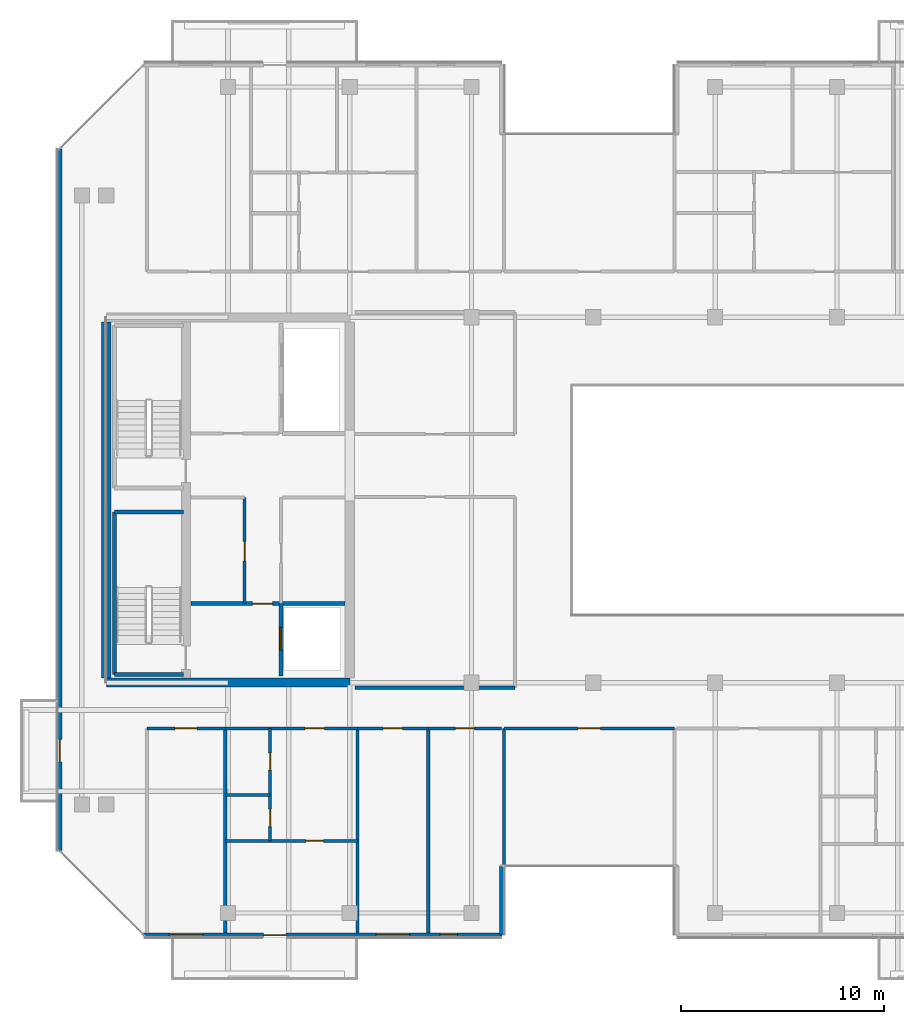
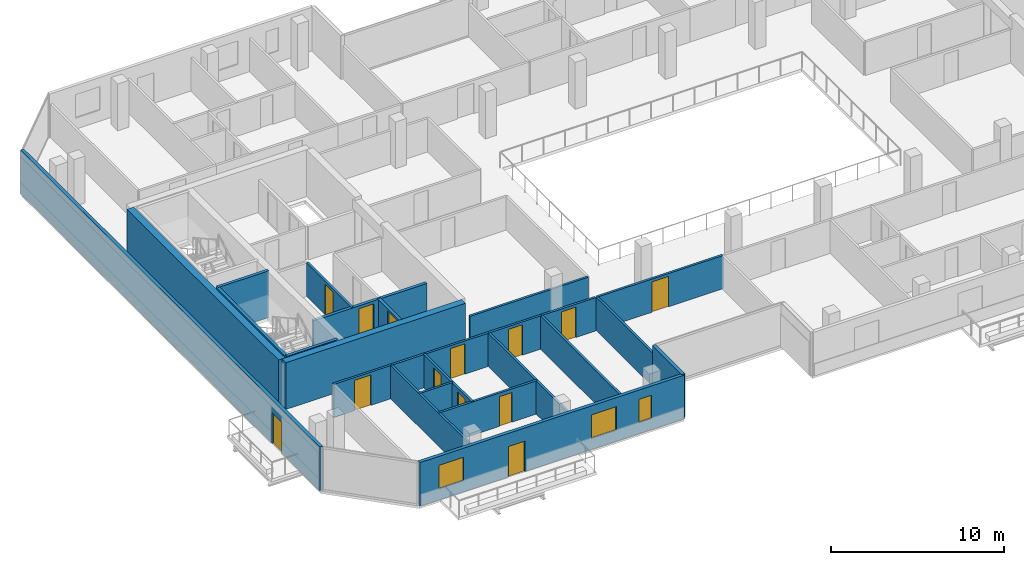
# One storey, part 18 of 28: 24 walls, 13 doors, 3 windows, 16 openings.
"""IFC4 building model written with IfcOpenShell, lengths in metres."""

from ifc_helpers import new_model, si_unit, direction, frame, frame_2d, origin, place, context, subcontext, project, spatial, rectangle, extrude, material, layer, layer_set, type_object, element, fill, save


model = new_model("IFC4")

# Units and contexts
model_context = context("Model", 3, precision=1e-05, world=origin(), true_north=direction((0.0, 1.0)))
body_context = subcontext(model_context, "Body", "Model", "MODEL_VIEW")
ifc_project = project(units=[si_unit("LENGTHUNIT", "METRE"), si_unit("AREAUNIT", "SQUARE_METRE"), si_unit("VOLUMEUNIT", "CUBIC_METRE"), si_unit("PLANEANGLEUNIT", "RADIAN"), si_unit("MASSUNIT", "GRAM", prefix="KILO")], contexts=[model_context])

# Site, building, storey
site_placement = place(None, origin())
site = spatial("IfcSite", under=ifc_project, at=site_placement, CompositionType="ELEMENT")
building_placement = place(site_placement, origin())
building = spatial("IfcBuilding", under=site, at=building_placement, Name="Tanjung Sevakor Pilgrim Tower", CompositionType="ELEMENT")
storey_placement = place(building_placement, frame((0.0, 0.0, 222.75)))
storey = spatial("IfcBuildingStorey", under=building, at=storey_placement, Name="L62", CompositionType="ELEMENT", Elevation=222.75)

# Walls
ifc_material_1 = material(Name="Concrete C60/75", Category="concrete")
ifc_layer_1 = layer(ifc_material_1, 0.449951171875)
ifc_layer_set_1 = layer_set([ifc_layer_1], Name="WALL-CW-450")
wall_type_1 = type_object("IfcWallType", Name="WALL-CW-450", PredefinedType="SHEAR", material=ifc_layer_set_1)
wall_1_placement = place(storey_placement, frame((24.0, 24.60009765625, 0.0), z_axis=(0.0, 0.0, 1.0), x_axis=(1.0, 0.0, 0.0)))
element("IfcWall", 1, at=wall_1_placement, inside=storey, type_object=wall_type_1, Name="L62 W Core South Shear Wall", PredefinedType="SHEAR", context=body_context, shape_type="SweptSolid", body=[
    extrude(rectangle(XDim=12.0, YDim=0.449951171875, at=frame_2d((6.0, 0.0))), origin(), (0.0, 0.0, 1.0), 3.300048828125),
])
wall_2_placement = place(storey_placement, frame((24.0, 24.824951171875, 0.0), z_axis=(0.0, 0.0, 1.0), x_axis=(0.0, 1.0, 0.0)))
element("IfcWall", 2, at=wall_2_placement, inside=storey, type_object=wall_type_1, Name="L62 W Core Outer Shear Wall", PredefinedType="SHEAR", context=body_context, shape_type="SweptSolid", body=[
    extrude(rectangle(XDim=17.550048828125, YDim=0.449951171875, at=frame_2d((8.77490234375, 0.0))), origin(), (0.0, 0.0, 1.0), 3.300048828125),
])

# Wall, opening, door
ifc_material_2 = material(Name="Concrete C40/50", Category="concrete")
ifc_layer_2 = layer(ifc_material_2, 0.14990234375)
ifc_layer_set_2 = layer_set([ifc_layer_2], Name="WT-COMP-150")
wall_type_2 = type_object("IfcWallType", Name="WT-COMP-150", PredefinedType="SOLIDWALL", material=ifc_layer_set_2)
wall_3_placement = place(storey_placement, frame((30.820068359375, 28.5, 0.0), z_axis=(0.0, 0.0, 1.0), x_axis=(0.0, 1.0, 0.0)))
wall_3 = element("IfcWall", 3, at=wall_3_placement, inside=storey, type_object=wall_type_2, Name="L62 Partition IW-L62-004", PredefinedType="SOLIDWALL", context=body_context, shape_type="SweptSolid", body=[
    extrude(rectangle(XDim=5.219970703125, YDim=0.14990234375, at=frame_2d((2.60986328125, 0.0))), origin(), (0.0, 0.0, 1.0), 2.35009765625),
])
opening_1_placement = place(wall_3_placement, frame((2.10009765625, 0.0, 0.0)))
opening_1 = element("IfcOpeningElement", 4, at=opening_1_placement, cuts=wall_3, Name="Opening ID-FD2", PredefinedType="OPENING", context=body_context, shape_type="SweptSolid", body=[
    extrude(rectangle(XDim=0.949951171875, YDim=2.14990234375, at=frame_2d((0.47509765625, 1.074951171875))), frame((0.0, 0.0849609375, 0.0), z_axis=(0.0, -1.0, 0.0), x_axis=(1.0, 0.0, 0.0)), (0.0, 0.0, 1.0), 0.169921875),
])
ifc_material_3 = material(Name="Fire-Rated Timber", Category="wood")
door_type_1 = type_object("IfcDoorType", Name="DT-FIRE-950", OperationType="NOTDEFINED", PredefinedType="DOOR", material=ifc_material_3)
door_1_placement = place(opening_1_placement, origin())
door_1 = element("IfcDoor", 5, at=door_1_placement, inside=storey, type_object=door_type_1, Name="L62 Housekeeping Pantry Door", OperationType="SINGLE_SWING_RIGHT", OverallHeight=2.14990234375, OverallWidth=0.949951171875, PredefinedType="DOOR", context=body_context, shape_type="SweptSolid", body=[
    extrude(rectangle(XDim=0.949951171875, YDim=2.14990234375, at=frame_2d((0.47509765625, 1.074951171875))), frame((0.0, 0.02490234375, 0.0), z_axis=(0.0, -1.0, 0.0), x_axis=(1.0, 0.0, 0.0)), (0.0, 0.0, 1.0), 0.050048828125),
])
fill(opening_1, door_1)

# Wall
wall_4_placement = place(storey_placement, frame((36.2451171875, 24.35009765625, 0.0), z_axis=(0.0, 0.0, 1.0), x_axis=(1.0, 0.0, 0.0)))
element("IfcWall", 6, at=wall_4_placement, inside=storey, type_object=wall_type_2, Name="L62 Partition IW-L62-019", PredefinedType="SOLIDWALL", context=body_context, shape_type="SweptSolid", body=[
    extrude(rectangle(XDim=7.90478515625, YDim=0.14990234375, at=frame_2d((3.952392578125, 0.0))), origin(), (0.0, 0.0, 1.0), 2.35009765625),
])

# Wall, opening, door
wall_5_placement = place(storey_placement, frame((43.60009765625, 22.35009765625, 0.0), z_axis=(0.0, 0.0, 1.0), x_axis=(1.0, 0.0, 0.0)))
wall_5 = element("IfcWall", 7, at=wall_5_placement, inside=storey, type_object=wall_type_2, Name="L62 Partition IW-L62-031", PredefinedType="SOLIDWALL", context=body_context, shape_type="SweptSolid", body=[
    extrude(rectangle(XDim=8.39990234375, YDim=0.14990234375, at=frame_2d((4.199951171875, 0.0))), origin(), (0.0, 0.0, 1.0), 2.35009765625),
])
opening_2_placement = place(wall_5_placement, frame((3.64990234375, 0.0, 0.0)))
opening_2 = element("IfcOpeningElement", 8, at=opening_2_placement, cuts=wall_5, Name="Opening ID-RM2", PredefinedType="OPENING", context=body_context, shape_type="SweptSolid", body=[
    extrude(rectangle(XDim=1.10009765625, YDim=2.14990234375, at=frame_2d((0.550048828125, 1.074951171875))), frame((0.0, 0.0849609375, 0.0), z_axis=(0.0, -1.0, 0.0), x_axis=(1.0, 0.0, 0.0)), (0.0, 0.0, 1.0), 0.169921875),
])
ifc_material_4 = material(Name="Hardwood Timber", Category="wood")
door_type_2 = type_object("IfcDoorType", Name="DT-INT-1100", OperationType="NOTDEFINED", PredefinedType="DOOR", material=ifc_material_4)
door_2_placement = place(opening_2_placement, origin())
door_2 = element("IfcDoor", 9, at=door_2_placement, inside=storey, type_object=door_type_2, Name="L62 South Cleft Observatory Door", OperationType="SINGLE_SWING_RIGHT", OverallHeight=2.14990234375, OverallWidth=1.10009765625, PredefinedType="DOOR", context=body_context, shape_type="SweptSolid", body=[
    extrude(rectangle(XDim=1.10009765625, YDim=2.14990234375, at=frame_2d((0.550048828125, 1.074951171875))), frame((0.0, 0.02490234375, 0.0), z_axis=(0.0, -1.0, 0.0), x_axis=(1.0, 0.0, 0.0)), (0.0, 0.0, 1.0), 0.050048828125),
])
fill(opening_2, door_2)

# Walls
for number, where, z_axis, x_axis, name in (
    (10, (43.60009765625, 12.27001953125, 0.0), (0.0, 0.0, 1.0), (0.0, 1.0, 0.0), "L62 Partition IW-L62-032"),
    (11, (29.86376953125, 12.27001953125, 0.0), (0.0, 0.0, 1.0), (0.0, 1.0, 0.0), "L62 Partition IW-L62-038"),
):
    element("IfcWall", number, at=place(storey_placement, frame(where, z_axis=z_axis, x_axis=x_axis)), inside=storey, type_object=wall_type_2, Name=name, PredefinedType="SOLIDWALL", context=body_context, shape_type="SweptSolid", body=[
        extrude(rectangle(XDim=10.080078125, YDim=0.14990234375, at=frame_2d((5.0400390625, 0.0))), origin(), (0.0, 0.0, 1.0), 2.35009765625),
    ])

# Wall, opening, door
wall_6_placement = place(storey_placement, frame((26.0, 22.35009765625, 0.0), z_axis=(0.0, 0.0, 1.0), x_axis=(1.0, 0.0, 0.0)))
wall_6 = element("IfcWall", 12, at=wall_6_placement, inside=storey, type_object=wall_type_2, Name="L62 Partition IW-L62-039", PredefinedType="SOLIDWALL", context=body_context, shape_type="SweptSolid", body=[
    extrude(rectangle(XDim=3.86376953125, YDim=0.14990234375, at=frame_2d((1.931884765625, 0.0))), origin(), (0.0, 0.0, 1.0), 2.35009765625),
])
opening_3_placement = place(wall_6_placement, frame((1.3818359375, 0.0, 0.0)))
opening_3 = element("IfcOpeningElement", 13, at=opening_3_placement, cuts=wall_6, Name="Opening ID-FD0", PredefinedType="OPENING", context=body_context, shape_type="SweptSolid", body=[
    extrude(rectangle(XDim=1.10009765625, YDim=2.14990234375, at=frame_2d((0.550048828125, 1.074951171875))), frame((0.0, 0.0849609375, 0.0), z_axis=(0.0, -1.0, 0.0), x_axis=(1.0, 0.0, 0.0)), (0.0, 0.0, 1.0), 0.169921875),
])
ifc_material_5 = material(Name="Fire-Rated Steel S355J2", Category="steel")
door_type_3 = type_object("IfcDoorType", Name="DT-FIRE-1100", OperationType="NOTDEFINED", PredefinedType="DOOR", material=ifc_material_5)
door_3_placement = place(opening_3_placement, origin())
door_3 = element("IfcDoor", 14, at=door_3_placement, inside=storey, type_object=door_type_3, Name="Communal Lounge Door", OperationType="SINGLE_SWING_RIGHT", OverallHeight=2.14990234375, OverallWidth=1.10009765625, PredefinedType="DOOR", context=body_context, shape_type="SweptSolid", body=[
    extrude(rectangle(XDim=1.10009765625, YDim=2.14990234375, at=frame_2d((0.550048828125, 1.074951171875))), frame((0.0, 0.02490234375, 0.0), z_axis=(0.0, -1.0, 0.0), x_axis=(1.0, 0.0, 0.0)), (0.0, 0.0, 1.0), 0.050048828125),
])
fill(opening_3, door_3)

# Wall
wall_7_placement = place(storey_placement, frame((36.3759765625, 12.27001953125, 0.0), z_axis=(0.0, 0.0, 1.0), x_axis=(0.0, 1.0, 0.0)))
element("IfcWall", 15, at=wall_7_placement, inside=storey, type_object=wall_type_2, Name="L62 Partition IW-L62-040", PredefinedType="SOLIDWALL", context=body_context, shape_type="SweptSolid", body=[
    extrude(rectangle(XDim=10.080078125, YDim=0.14990234375, at=frame_2d((5.0400390625, 0.0))), origin(), (0.0, 0.0, 1.0), 2.35009765625),
])

# Wall, opening, door
wall_8_placement = place(storey_placement, frame((29.86376953125, 22.35009765625, 0.0), z_axis=(0.0, 0.0, 1.0), x_axis=(1.0, 0.0, 0.0)))
wall_8 = element("IfcWall", 16, at=wall_8_placement, inside=storey, type_object=wall_type_2, Name="L62 Partition IW-L62-044", PredefinedType="SOLIDWALL", context=body_context, shape_type="SweptSolid", body=[
    extrude(rectangle(XDim=6.51220703125, YDim=0.14990234375, at=frame_2d((3.256103515625, 0.0))), origin(), (0.0, 0.0, 1.0), 2.35009765625),
])
opening_4_placement = place(wall_8_placement, frame((3.92822265625, 0.0, 0.0)))
opening_4 = element("IfcOpeningElement", 17, at=opening_4_placement, cuts=wall_8, Name="Opening ID-FD2", PredefinedType="OPENING", context=body_context, shape_type="SweptSolid", body=[
    extrude(rectangle(XDim=0.949951171875, YDim=2.14990234375, at=frame_2d((0.47509765625, 1.074951171875))), frame((0.0, 0.0849609375, 0.0), z_axis=(0.0, -1.0, 0.0), x_axis=(1.0, 0.0, 0.0)), (0.0, 0.0, 1.0), 0.169921875),
])
door_4_placement = place(opening_4_placement, origin())
door_4 = element("IfcDoor", 18, at=door_4_placement, inside=storey, type_object=door_type_1, Name="Residence Entrance", OperationType="SINGLE_SWING_RIGHT", OverallHeight=2.14990234375, OverallWidth=0.949951171875, PredefinedType="DOOR", context=body_context, shape_type="SweptSolid", body=[
    extrude(rectangle(XDim=0.949951171875, YDim=2.14990234375, at=frame_2d((0.47509765625, 1.074951171875))), frame((0.0, 0.02490234375, 0.0), z_axis=(0.0, -1.0, 0.0), x_axis=(1.0, 0.0, 0.0)), (0.0, 0.0, 1.0), 0.050048828125),
])
fill(opening_4, door_4)

# Wall
wall_9_placement = place(storey_placement, frame((39.86572265625, 12.27001953125, 0.0), z_axis=(0.0, 0.0, 1.0), x_axis=(0.0, 1.0, 0.0)))
element("IfcWall", 19, at=wall_9_placement, inside=storey, type_object=wall_type_2, Name="L62 Partition IW-L62-045", PredefinedType="SOLIDWALL", context=body_context, shape_type="SweptSolid", body=[
    extrude(rectangle(XDim=10.080078125, YDim=0.14990234375, at=frame_2d((5.0400390625, 0.0))), origin(), (0.0, 0.0, 1.0), 2.35009765625),
])

# Wall, opening, door
wall_10_placement = place(storey_placement, frame((36.3759765625, 22.35009765625, 0.0), z_axis=(0.0, 0.0, 1.0), x_axis=(1.0, 0.0, 0.0)))
wall_10 = element("IfcWall", 20, at=wall_10_placement, inside=storey, type_object=wall_type_2, Name="L62 Partition IW-L62-046", PredefinedType="SOLIDWALL", context=body_context, shape_type="SweptSolid", body=[
    extrude(rectangle(XDim=3.48974609375, YDim=0.14990234375, at=frame_2d((1.744873046875, 0.0))), origin(), (0.0, 0.0, 1.0), 2.35009765625),
])
opening_5_placement = place(wall_10_placement, frame((1.27001953125, 0.0, 0.0)))
opening_5 = element("IfcOpeningElement", 21, at=opening_5_placement, cuts=wall_10, Name="Opening ID-FD2", PredefinedType="OPENING", context=body_context, shape_type="SweptSolid", body=[
    extrude(rectangle(XDim=0.949951171875, YDim=2.14990234375, at=frame_2d((0.47509765625, 1.074951171875))), frame((0.0, 0.0849609375, 0.0), z_axis=(0.0, -1.0, 0.0), x_axis=(1.0, 0.0, 0.0)), (0.0, 0.0, 1.0), 0.169921875),
])
door_5_placement = place(opening_5_placement, origin())
door_5 = element("IfcDoor", 22, at=door_5_placement, inside=storey, type_object=door_type_1, Name="Study Room Entrance", OperationType="SINGLE_SWING_LEFT", OverallHeight=2.14990234375, OverallWidth=0.949951171875, PredefinedType="DOOR", context=body_context, shape_type="SweptSolid", body=[
    extrude(rectangle(XDim=0.949951171875, YDim=2.14990234375, at=frame_2d((0.47509765625, 1.074951171875))), frame((0.0, 0.02490234375, 0.0), z_axis=(0.0, -1.0, 0.0), x_axis=(1.0, 0.0, 0.0)), (0.0, 0.0, 1.0), 0.050048828125),
])
fill(opening_5, door_5)

wall_11_placement = place(storey_placement, frame((39.86572265625, 22.35009765625, 0.0), z_axis=(0.0, 0.0, 1.0), x_axis=(1.0, 0.0, 0.0)))
wall_11 = element("IfcWall", 23, at=wall_11_placement, inside=storey, type_object=wall_type_2, Name="L62 Partition IW-L62-047", PredefinedType="SOLIDWALL", context=body_context, shape_type="SweptSolid", body=[
    extrude(rectangle(XDim=3.6142578125, YDim=0.14990234375, at=frame_2d((1.80712890625, 0.0))), origin(), (0.0, 0.0, 1.0), 2.35009765625),
])
opening_6_placement = place(wall_11_placement, frame((1.33203125, 0.0, 0.0)))
opening_6 = element("IfcOpeningElement", 24, at=opening_6_placement, cuts=wall_11, Name="Opening ID-FD2", PredefinedType="OPENING", context=body_context, shape_type="SweptSolid", body=[
    extrude(rectangle(XDim=0.949951171875, YDim=2.14990234375, at=frame_2d((0.47509765625, 1.074951171875))), frame((0.0, 0.0849609375, 0.0), z_axis=(0.0, -1.0, 0.0), x_axis=(1.0, 0.0, 0.0)), (0.0, 0.0, 1.0), 0.169921875),
])
door_6_placement = place(opening_6_placement, origin())
door_6 = element("IfcDoor", 25, at=door_6_placement, inside=storey, type_object=door_type_1, Name="Study Room Entrance", OperationType="SINGLE_SWING_RIGHT", OverallHeight=2.14990234375, OverallWidth=0.949951171875, PredefinedType="DOOR", context=body_context, shape_type="SweptSolid", body=[
    extrude(rectangle(XDim=0.949951171875, YDim=2.14990234375, at=frame_2d((0.47509765625, 1.074951171875))), frame((0.0, 0.02490234375, 0.0), z_axis=(0.0, -1.0, 0.0), x_axis=(1.0, 0.0, 0.0)), (0.0, 0.0, 1.0), 0.050048828125),
])
fill(opening_6, door_6)

# Wall, openings, door, windows
ifc_material_6 = material(Name="Precast concrete C45/55", Category="concrete")
ifc_layer_3 = layer(ifc_material_6, 0.219970703125)
ifc_layer_set_3 = layer_set([ifc_layer_3], Name="WT-EW-STN4")
wall_type_3 = type_object("IfcWallType", Name="WT-EW-STN4", PredefinedType="SOLIDWALL", material=ifc_layer_set_3)
wall_12_placement = place(storey_placement, frame((25.845703125, 12.159912109375, 0.0), z_axis=(0.0, 0.0, 1.0), x_axis=(1.0, 0.0, 0.0)))
wall_12 = element("IfcWall", 26, at=wall_12_placement, inside=storey, type_object=wall_type_3, Name="L62 MAIN Exterior Wall 1", PredefinedType="SOLIDWALL", context=body_context, shape_type="SweptSolid", body=[
    extrude(rectangle(XDim=17.644287109375, YDim=0.219970703125, at=frame_2d((8.822265625, 0.0))), origin(), (0.0, 0.0, 1.0), 3.080078125),
])
opening_7_placement = place(wall_12_placement, frame((5.904296875, 0.0, 0.0)))
opening_7 = element("IfcOpeningElement", 27, at=opening_7_placement, cuts=wall_12, Name="Opening ED-BAL-1100", PredefinedType="OPENING", context=body_context, shape_type="SweptSolid", body=[
    extrude(rectangle(XDim=1.10009765625, YDim=2.14990234375, at=frame_2d((0.550048828125, 1.074951171875))), frame((0.0, 0.119873046875, 0.0), z_axis=(0.0, -1.0, 0.0), x_axis=(1.0, 0.0, 0.0)), (0.0, 0.0, 1.0), 0.239990234375),
])
opening_8_placement = place(wall_12_placement, frame((1.26123046875, 0.0, 0.780029296875)))
opening_8 = element("IfcOpeningElement", 28, at=opening_8_placement, cuts=wall_12, Name="Opening WN-Z4-1660", PredefinedType="OPENING", context=body_context, shape_type="SweptSolid", body=[
    extrude(rectangle(XDim=1.64990234375, YDim=1.659912109375, at=frame_2d((0.824951171875, 0.830078125))), frame((0.0, 0.119873046875, 0.0), z_axis=(0.0, -1.0, 0.0), x_axis=(1.0, 0.0, 0.0)), (0.0, 0.0, 1.0), 0.239990234375),
])
opening_9_placement = place(wall_12_placement, frame((11.4501953125, 0.0, 0.780029296875)))
opening_9 = element("IfcOpeningElement", 29, at=opening_9_placement, cuts=wall_12, Name="Opening WN-Z4-1660", PredefinedType="OPENING", context=body_context, shape_type="SweptSolid", body=[
    extrude(rectangle(XDim=1.64990234375, YDim=1.659912109375, at=frame_2d((0.824951171875, 0.830078125))), frame((0.0, 0.119873046875, 0.0), z_axis=(0.0, -1.0, 0.0), x_axis=(1.0, 0.0, 0.0)), (0.0, 0.0, 1.0), 0.239990234375),
])
opening_10_placement = place(wall_12_placement, frame((14.602294921875, 0.0, 0.780029296875)))
opening_10 = element("IfcOpeningElement", 30, at=opening_10_placement, cuts=wall_12, Name="Opening WN-SLM", PredefinedType="OPENING", context=body_context, shape_type="SweptSolid", body=[
    extrude(rectangle(XDim=0.85009765625, YDim=1.64990234375, at=frame_2d((0.425048828125, 0.824951171875))), frame((0.0, 0.119873046875, 0.0), z_axis=(0.0, -1.0, 0.0), x_axis=(1.0, 0.0, 0.0)), (0.0, 0.0, 1.0), 0.239990234375),
])
ifc_material_7 = material(Name="Anodised Aluminium and Laminated Glass", Category="aluminium")
door_type_4 = type_object("IfcDoorType", Name="DTYP-ED-BAL-1100", OperationType="NOTDEFINED", PredefinedType="DOOR", material=ifc_material_7)
door_7_placement = place(opening_7_placement, frame((1.10009765625, 0.0, 0.0), z_axis=(0.0, 0.0, 1.0), x_axis=(-1.0, 0.0, 0.0)))
door_7 = element("IfcDoor", 31, at=door_7_placement, inside=storey, type_object=door_type_4, Name="L62 Balcony Door MAIN-S1", OperationType="SINGLE_SWING_LEFT", OverallHeight=2.14990234375, OverallWidth=1.10009765625, PredefinedType="DOOR", context=body_context, shape_type="SweptSolid", body=[
    extrude(rectangle(XDim=1.10009765625, YDim=2.14990234375, at=frame_2d((0.550048828125, 1.074951171875))), frame((0.0, 0.02490234375, 0.0), z_axis=(0.0, -1.0, 0.0), x_axis=(1.0, 0.0, 0.0)), (0.0, 0.0, 1.0), 0.050048828125),
])
fill(opening_7, door_7)
ifc_material_8 = material(Name="Thermally Broken Aluminium and Low-E Glass", Category="aluminium")
window_type_1 = type_object("IfcWindowType", Name="WTYP-WN-SLM", PartitioningType="SINGLE_PANEL", PredefinedType="WINDOW", material=ifc_material_8)
window_1_placement = place(opening_10_placement, origin())
window_1 = element("IfcWindow", 32, at=window_1_placement, inside=storey, type_object=window_type_1, Name="L62 Facade Window 03", OverallHeight=1.64990234375, OverallWidth=0.85009765625, PartitioningType="SINGLE_PANEL", PredefinedType="WINDOW", context=body_context, shape_type="SweptSolid", body=[
    extrude(rectangle(XDim=0.85009765625, YDim=1.64990234375, at=frame_2d((0.425048828125, 0.824951171875))), frame((0.0, 0.030029296875, 0.0), z_axis=(0.0, -1.0, 0.0), x_axis=(1.0, 0.0, 0.0)), (0.0, 0.0, 1.0), 0.06005859375),
])
fill(opening_10, window_1)
ifc_material_9 = material(Name="Thermally Broken Aluminium and Low-E Glass", Category="aluminium")
window_type_2 = type_object("IfcWindowType", Name="WTYP-WN-Z4-1660", PartitioningType="DOUBLE_PANEL_VERTICAL", PredefinedType="WINDOW", material=ifc_material_9)
window_2_placement = place(opening_8_placement, origin())
window_2 = element("IfcWindow", 33, at=window_2_placement, inside=storey, type_object=window_type_2, Name="L62 Facade Window 01", OverallHeight=1.659912109375, OverallWidth=1.64990234375, PartitioningType="SINGLE_PANEL", PredefinedType="WINDOW", context=body_context, shape_type="SweptSolid", body=[
    extrude(rectangle(XDim=1.64990234375, YDim=1.659912109375, at=frame_2d((0.824951171875, 0.830078125))), frame((0.0, 0.030029296875, 0.0), z_axis=(0.0, -1.0, 0.0), x_axis=(1.0, 0.0, 0.0)), (0.0, 0.0, 1.0), 0.06005859375),
])
fill(opening_8, window_2)
window_3_placement = place(opening_9_placement, origin())
window_3 = element("IfcWindow", 34, at=window_3_placement, inside=storey, type_object=window_type_2, Name="L62 Facade Window 02", OverallHeight=1.659912109375, OverallWidth=1.64990234375, PartitioningType="SINGLE_PANEL", PredefinedType="WINDOW", context=body_context, shape_type="SweptSolid", body=[
    extrude(rectangle(XDim=1.64990234375, YDim=1.659912109375, at=frame_2d((0.824951171875, 0.830078125))), frame((0.0, 0.030029296875, 0.0), z_axis=(0.0, -1.0, 0.0), x_axis=(1.0, 0.0, 0.0)), (0.0, 0.0, 1.0), 0.06005859375),
])
fill(opening_9, window_3)

# Wall
wall_13_placement = place(storey_placement, frame((43.489990234375, 12.159912109375, 0.0), z_axis=(0.0, 0.0, 1.0), x_axis=(0.0, 1.0, 0.0)))
element("IfcWall", 35, at=wall_13_placement, inside=storey, type_object=wall_type_3, Name="L62 MAIN Exterior Wall 2", PredefinedType="SOLIDWALL", context=body_context, shape_type="SweptSolid", body=[
    extrude(rectangle(XDim=3.400146484375, YDim=0.219970703125, at=frame_2d((1.7001953125, 0.0))), origin(), (0.0, 0.0, 1.0), 3.080078125),
])

# Wall, opening, door
wall_14_placement = place(storey_placement, frame((21.7099609375, 50.904296875, 0.0), z_axis=(0.0, 0.0, 1.0), x_axis=(0.0, -1.0, 0.0)))
wall_14 = element("IfcWall", 36, at=wall_14_placement, inside=storey, type_object=wall_type_3, Name="L62 MAIN Exterior Wall 15", PredefinedType="SOLIDWALL", context=body_context, shape_type="SweptSolid", body=[
    extrude(rectangle(XDim=34.608642578125, YDim=0.219970703125, at=frame_2d((17.30419921875, 0.0))), origin(), (0.0, 0.0, 1.0), 3.080078125),
])
opening_11_placement = place(wall_14_placement, frame((29.1044921875, 0.0, 0.0)))
opening_11 = element("IfcOpeningElement", 37, at=opening_11_placement, cuts=wall_14, Name="Opening ED-BAL-1100", PredefinedType="OPENING", context=body_context, shape_type="SweptSolid", body=[
    extrude(rectangle(XDim=1.10009765625, YDim=2.14990234375, at=frame_2d((0.550048828125, 1.074951171875))), frame((0.0, 0.119873046875, 0.0), z_axis=(0.0, -1.0, 0.0), x_axis=(1.0, 0.0, 0.0)), (0.0, 0.0, 1.0), 0.239990234375),
])
door_8_placement = place(opening_11_placement, frame((1.10009765625, 0.0, 0.0), z_axis=(0.0, 0.0, 1.0), x_axis=(-1.0, 0.0, 0.0)))
door_8 = element("IfcDoor", 38, at=door_8_placement, inside=storey, type_object=door_type_4, Name="L62 West Loggia Door MAIN-W1", OperationType="SINGLE_SWING_RIGHT", OverallHeight=2.14990234375, OverallWidth=1.10009765625, PredefinedType="DOOR", context=body_context, shape_type="SweptSolid", body=[
    extrude(rectangle(XDim=1.10009765625, YDim=2.14990234375, at=frame_2d((0.550048828125, 1.074951171875))), frame((0.0, 0.02490234375, 0.0), z_axis=(0.0, -1.0, 0.0), x_axis=(1.0, 0.0, 0.0)), (0.0, 0.0, 1.0), 0.050048828125),
])
fill(opening_11, door_8)

# Walls
ifc_material_10 = material(Name="Concrete C40/50", Category="concrete")
ifc_layer_4 = layer(ifc_material_10, 0.199951171875)
ifc_layer_set_4 = layer_set([ifc_layer_4], Name="WT-FIRE-200")
wall_type_4 = type_object("IfcWallType", Name="WT-FIRE-200", PredefinedType="SOLIDWALL", material=ifc_layer_set_4)
for number, where, z_axis, x_axis, name in (
    (39, (24.39990234375, 25.0, 0.0), (0.0, 0.0, 1.0), (1.0, 0.0, 0.0), "L62 TS-W1 Shaft Wall 1"),
    (40, (27.800048828125, 33.0, 0.0), (0.0, 0.0, 1.0), (-1.0, 0.0, 0.0), "L62 TS-W1 Shaft Wall 2"),
):
    element("IfcWall", number, at=place(storey_placement, frame(where, z_axis=z_axis, x_axis=x_axis)), inside=storey, type_object=wall_type_4, Name=name, PredefinedType="SOLIDWALL", context=body_context, shape_type="SweptSolid", body=[
        extrude(rectangle(XDim=3.400146484375, YDim=0.199951171875, at=frame_2d((1.7001953125, 0.0))), origin(), (0.0, 0.0, 1.0), 3.300048828125),
    ])
wall_15_placement = place(storey_placement, frame((24.39990234375, 33.0, 0.0), z_axis=(0.0, 0.0, 1.0), x_axis=(0.0, -1.0, 0.0)))
element("IfcWall", 41, at=wall_15_placement, inside=storey, type_object=wall_type_4, Name="L62 TS-W1 Shaft Wall 3", PredefinedType="SOLIDWALL", context=body_context, shape_type="SweptSolid", body=[
    extrude(rectangle(XDim=8.0, YDim=0.199951171875, at=frame_2d((4.0, 0.0))), origin(), (0.0, 0.0, 1.0), 3.300048828125),
])

# Wall, opening, door
ifc_material_11 = material(Name="Concrete C40/50", Category="concrete")
ifc_layer_5 = layer(ifc_material_11, 0.199951171875)
ifc_layer_set_5 = layer_set([ifc_layer_5], Name="WT-FPRT-200")
wall_type_5 = type_object("IfcWallType", Name="WT-FPRT-200", PredefinedType="SOLIDWALL", material=ifc_layer_set_5)
wall_16_placement = place(storey_placement, frame((32.60009765625, 24.919921875, 0.0), z_axis=(0.0, 0.0, 1.0), x_axis=(0.0, 1.0, 0.0)))
wall_16 = element("IfcWall", 42, at=wall_16_placement, inside=storey, type_object=wall_type_5, Name="L62 Partition IW-L62-001", PredefinedType="SOLIDWALL", context=body_context, shape_type="SweptSolid", body=[
    extrude(rectangle(XDim=3.580078125, YDim=0.199951171875, at=frame_2d((1.7900390625, 0.0))), origin(), (0.0, 0.0, 1.0), 2.35009765625),
])
opening_12_placement = place(wall_16_placement, frame((1.300048828125, 0.0, 0.0)))
opening_12 = element("IfcOpeningElement", 43, at=opening_12_placement, cuts=wall_16, Name="Opening LD-1100", PredefinedType="OPENING", context=body_context, shape_type="SweptSolid", body=[
    extrude(rectangle(XDim=1.10009765625, YDim=2.199951171875, at=frame_2d((0.550048828125, 1.10009765625))), frame((0.0, 0.10986328125, 0.0), z_axis=(0.0, -1.0, 0.0), x_axis=(1.0, 0.0, 0.0)), (0.0, 0.0, 1.0), 0.219970703125),
])
ifc_material_12 = material(Name="Brushed Stainless Steel S355J2", Category="steel")
door_type_5 = type_object("IfcDoorType", Name="DT-LIFT-1100", OperationType="SLIDING_TO_LEFT", PredefinedType="DOOR", material=ifc_material_12)
door_9_placement = place(opening_12_placement, origin())
door_9 = element("IfcDoor", 44, at=door_9_placement, inside=storey, type_object=door_type_5, Name="LD-FL-W", OperationType="SLIDING_TO_LEFT", OverallHeight=2.199951171875, OverallWidth=1.10009765625, PredefinedType="DOOR", context=body_context, shape_type="SweptSolid", body=[
    extrude(rectangle(XDim=1.10009765625, YDim=2.199951171875, at=frame_2d((0.550048828125, 1.10009765625))), frame((0.0, 0.02490234375, 0.0), z_axis=(0.0, -1.0, 0.0), x_axis=(1.0, 0.0, 0.0)), (0.0, 0.0, 1.0), 0.050048828125),
])
fill(opening_12, door_9)

wall_17_placement = place(storey_placement, frame((28.169921875, 28.5, 0.0), z_axis=(0.0, 0.0, 1.0), x_axis=(1.0, 0.0, 0.0)))
wall_17 = element("IfcWall", 45, at=wall_17_placement, inside=storey, type_object=wall_type_5, Name="L62 Partition IW-L62-002", PredefinedType="SOLIDWALL", context=body_context, shape_type="SweptSolid", body=[
    extrude(rectangle(XDim=7.5849609375, YDim=0.199951171875, at=frame_2d((3.79248046875, 0.0))), origin(), (0.0, 0.0, 1.0), 2.35009765625),
])
opening_13_placement = place(wall_17_placement, frame((3.030029296875, 0.0, 0.0)))
opening_13 = element("IfcOpeningElement", 46, at=opening_13_placement, cuts=wall_17, Name="Opening ID-FD1", PredefinedType="OPENING", context=body_context, shape_type="SweptSolid", body=[
    extrude(rectangle(XDim=1.0, YDim=2.14990234375, at=frame_2d((0.5, 1.074951171875))), frame((0.0, 0.10986328125, 0.0), z_axis=(0.0, -1.0, 0.0), x_axis=(1.0, 0.0, 0.0)), (0.0, 0.0, 1.0), 0.219970703125),
])
ifc_material_13 = material(Name="Fire-Rated Steel S355J2", Category="steel")
door_type_6 = type_object("IfcDoorType", Name="DT-FIRE-1000", OperationType="NOTDEFINED", PredefinedType="DOOR", material=ifc_material_13)
door_10_placement = place(opening_13_placement, origin())
door_10 = element("IfcDoor", 47, at=door_10_placement, inside=storey, type_object=door_type_6, Name="Fire Lobby Door W", OperationType="SINGLE_SWING_LEFT", OverallHeight=2.14990234375, OverallWidth=1.0, PredefinedType="DOOR", context=body_context, shape_type="SweptSolid", body=[
    extrude(rectangle(XDim=1.0, YDim=2.14990234375, at=frame_2d((0.5, 1.074951171875))), frame((0.0, 0.02490234375, 0.0), z_axis=(0.0, -1.0, 0.0), x_axis=(1.0, 0.0, 0.0)), (0.0, 0.0, 1.0), 0.050048828125),
])
fill(opening_13, door_10)

# Wall
ifc_material_14 = material(Name="Gypsum Board Partition", Category="gypsum board")
ifc_layer_6 = layer(ifc_material_14, 0.14990234375)
ifc_layer_set_6 = layer_set([ifc_layer_6], Name="WT-PART-150")
wall_type_6 = type_object("IfcWallType", Name="WT-PART-150", PredefinedType="PARTITIONING", material=ifc_layer_set_6)
wall_18_placement = place(storey_placement, frame((29.86376953125, 19.075439453125, 0.0), z_axis=(0.0, 0.0, 1.0), x_axis=(1.0, 0.0, 0.0)))
element("IfcWall", 48, at=wall_18_placement, inside=storey, type_object=wall_type_6, Name="L62 Partition IW-L62-041", PredefinedType="PARTITIONING", context=body_context, shape_type="SweptSolid", body=[
    extrude(rectangle(XDim=2.214111328125, YDim=0.14990234375, at=frame_2d((1.10693359375, 0.0))), origin(), (0.0, 0.0, 1.0), 2.35009765625),
])

# Wall, openings, doors
wall_19_placement = place(storey_placement, frame((32.077880859375, 16.800048828125, 0.0), z_axis=(0.0, 0.0, 1.0), x_axis=(0.0, 1.0, 0.0)))
wall_19 = element("IfcWall", 49, at=wall_19_placement, inside=storey, type_object=wall_type_6, Name="L62 Partition IW-L62-042", PredefinedType="PARTITIONING", context=body_context, shape_type="SweptSolid", body=[
    extrude(rectangle(XDim=5.550048828125, YDim=0.14990234375, at=frame_2d((2.77490234375, 0.0))), origin(), (0.0, 0.0, 1.0), 2.35009765625),
])
opening_14_placement = place(wall_19_placement, frame((0.712890625, 0.0, 0.0)))
opening_14 = element("IfcOpeningElement", 50, at=opening_14_placement, cuts=wall_19, Name="Opening ID-WC1", PredefinedType="OPENING", context=body_context, shape_type="SweptSolid", body=[
    extrude(rectangle(XDim=0.85009765625, YDim=2.10009765625, at=frame_2d((0.425048828125, 1.050048828125))), frame((0.0, 0.0849609375, 0.0), z_axis=(0.0, -1.0, 0.0), x_axis=(1.0, 0.0, 0.0)), (0.0, 0.0, 1.0), 0.169921875),
])
opening_15_placement = place(wall_19_placement, frame((3.48779296875, 0.0, 0.0)))
opening_15 = element("IfcOpeningElement", 51, at=opening_15_placement, cuts=wall_19, Name="Opening ID-WC1", PredefinedType="OPENING", context=body_context, shape_type="SweptSolid", body=[
    extrude(rectangle(XDim=0.85009765625, YDim=2.10009765625, at=frame_2d((0.425048828125, 1.050048828125))), frame((0.0, 0.0849609375, 0.0), z_axis=(0.0, -1.0, 0.0), x_axis=(1.0, 0.0, 0.0)), (0.0, 0.0, 1.0), 0.169921875),
])
ifc_material_15 = material(Name="Moisture-Resistant Timber", Category="wood")
door_type_7 = type_object("IfcDoorType", Name="DT-INT-850", OperationType="NOTDEFINED", PredefinedType="DOOR", material=ifc_material_15)
door_11_placement = place(opening_14_placement, origin())
door_11 = element("IfcDoor", 52, at=door_11_placement, inside=storey, type_object=door_type_7, Name="Residence Bathroom Door", OperationType="SINGLE_SWING_LEFT", OverallHeight=2.10009765625, OverallWidth=0.85009765625, PredefinedType="DOOR", context=body_context, shape_type="SweptSolid", body=[
    extrude(rectangle(XDim=0.85009765625, YDim=2.10009765625, at=frame_2d((0.425048828125, 1.050048828125))), frame((0.0, 0.02490234375, 0.0), z_axis=(0.0, -1.0, 0.0), x_axis=(1.0, 0.0, 0.0)), (0.0, 0.0, 1.0), 0.050048828125),
])
fill(opening_14, door_11)
door_12_placement = place(opening_15_placement, origin())
door_12 = element("IfcDoor", 53, at=door_12_placement, inside=storey, type_object=door_type_7, Name="Residence Kitchenette Door", OperationType="SINGLE_SWING_RIGHT", OverallHeight=2.10009765625, OverallWidth=0.85009765625, PredefinedType="DOOR", context=body_context, shape_type="SweptSolid", body=[
    extrude(rectangle(XDim=0.85009765625, YDim=2.10009765625, at=frame_2d((0.425048828125, 1.050048828125))), frame((0.0, 0.02490234375, 0.0), z_axis=(0.0, -1.0, 0.0), x_axis=(1.0, 0.0, 0.0)), (0.0, 0.0, 1.0), 0.050048828125),
])
fill(opening_15, door_12)

# Wall, opening, door
wall_20_placement = place(storey_placement, frame((29.86376953125, 16.800048828125, 0.0), z_axis=(0.0, 0.0, 1.0), x_axis=(1.0, 0.0, 0.0)))
wall_20 = element("IfcWall", 54, at=wall_20_placement, inside=storey, type_object=wall_type_6, Name="L62 Partition IW-L62-043", PredefinedType="PARTITIONING", context=body_context, shape_type="SweptSolid", body=[
    extrude(rectangle(XDim=6.51220703125, YDim=0.14990234375, at=frame_2d((3.256103515625, 0.0))), origin(), (0.0, 0.0, 1.0), 2.35009765625),
])
opening_16_placement = place(wall_20_placement, frame((3.978271484375, 0.0, 0.0)))
opening_16 = element("IfcOpeningElement", 55, at=opening_16_placement, cuts=wall_20, Name="Opening ID-WC1", PredefinedType="OPENING", context=body_context, shape_type="SweptSolid", body=[
    extrude(rectangle(XDim=0.85009765625, YDim=2.10009765625, at=frame_2d((0.425048828125, 1.050048828125))), frame((0.0, 0.0849609375, 0.0), z_axis=(0.0, -1.0, 0.0), x_axis=(1.0, 0.0, 0.0)), (0.0, 0.0, 1.0), 0.169921875),
])
door_13_placement = place(opening_16_placement, origin())
door_13 = element("IfcDoor", 56, at=door_13_placement, inside=storey, type_object=door_type_7, Name="Residence Bedroom Door", OperationType="SINGLE_SWING_LEFT", OverallHeight=2.10009765625, OverallWidth=0.85009765625, PredefinedType="DOOR", context=body_context, shape_type="SweptSolid", body=[
    extrude(rectangle(XDim=0.85009765625, YDim=2.10009765625, at=frame_2d((0.425048828125, 1.050048828125))), frame((0.0, 0.02490234375, 0.0), z_axis=(0.0, -1.0, 0.0), x_axis=(1.0, 0.0, 0.0)), (0.0, 0.0, 1.0), 0.050048828125),
])
fill(opening_16, door_13)

save(model, "model.ifc")
